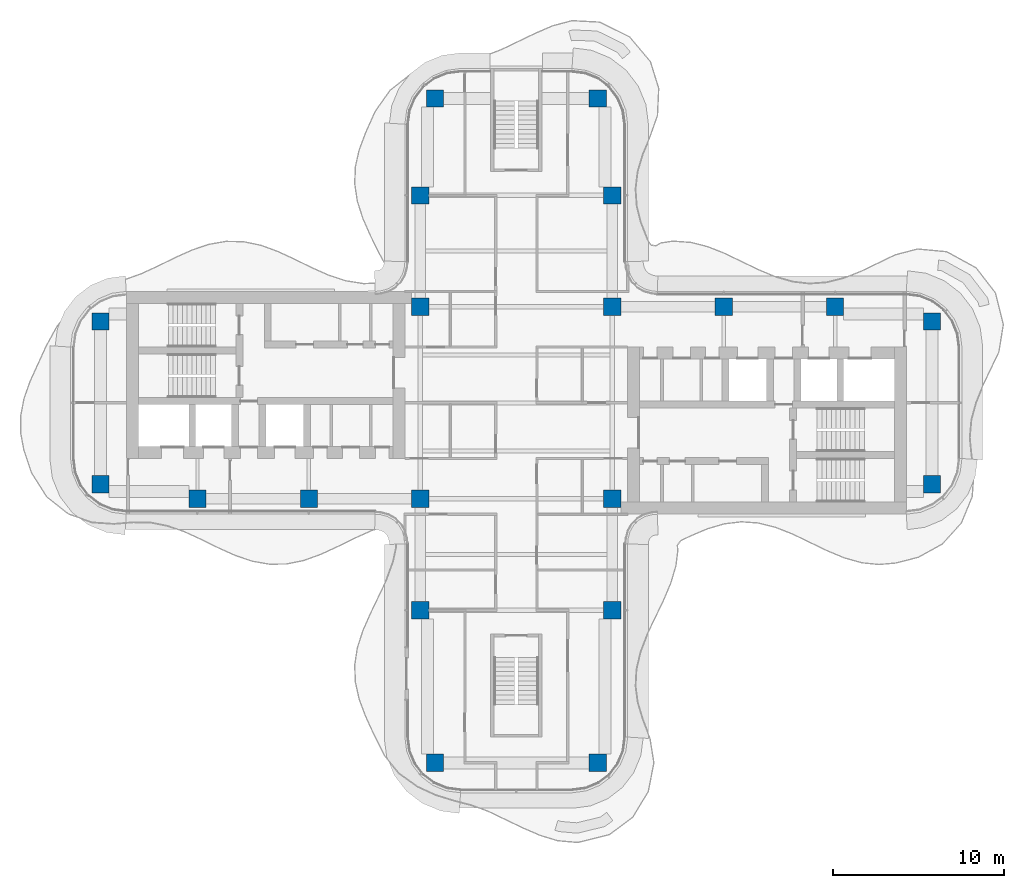
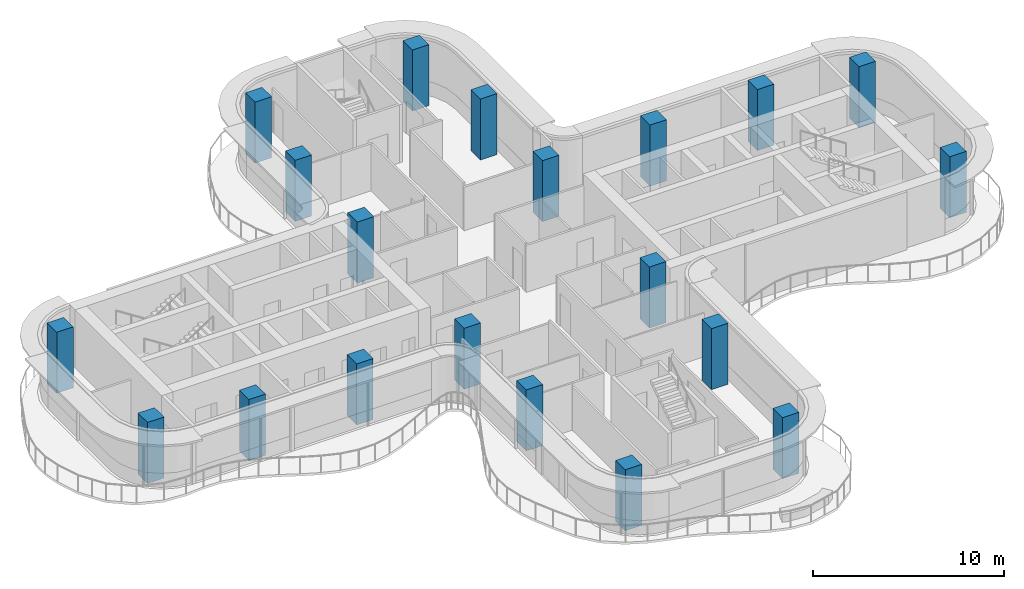
# One storey, part 1 of 16: 20 columns.
"""IFC4 building model written with IfcOpenShell, lengths in metres."""

from ifc_helpers import new_model, si_unit, direction, frame, origin, origin_2d, place, context, subcontext, project, spatial, rectangle, extrude, source, transform, mapped, material, material_profile, profile_set, type_object, element, save


model = new_model("IFC4")

# Units and contexts
model_context = context("Model", 3, precision=1e-05, world=origin(), true_north=direction((0.0, 1.0)))
body_context = subcontext(model_context, "Body", "Model", "MODEL_VIEW")
ifc_project = project(units=[si_unit("LENGTHUNIT", "METRE"), si_unit("AREAUNIT", "SQUARE_METRE"), si_unit("VOLUMEUNIT", "CUBIC_METRE"), si_unit("PLANEANGLEUNIT", "RADIAN"), si_unit("MASSUNIT", "GRAM", prefix="KILO")], contexts=[model_context])

# Site, building, storey
site_placement = place(None, origin())
site = spatial("IfcSite", under=ifc_project, at=site_placement, CompositionType="ELEMENT")
building_placement = place(site_placement, origin())
building = spatial("IfcBuilding", under=site, at=building_placement, Name="Trellis Farm Tower", CompositionType="ELEMENT")
storey_placement = place(building_placement, frame((0.0, 0.0, 306.699951171875)))
storey = spatial("IfcBuildingStorey", under=building, at=storey_placement, Name="L69", CompositionType="ELEMENT", Elevation=306.699951171875)

# Columns
ifc_material = material(Name="Concrete C60/75", Category="concrete")
ifc_material_profile = material_profile(ifc_material, rectangle(XDim=1.0, YDim=1.0, at=origin_2d()), Name="RC column 1000x1000 C60/75")
ifc_profile_set = profile_set([ifc_material_profile], Name="Concrete C60/75")
column_type = type_object("IfcColumnType", Name="RC column 1000x1000 C60/75", PredefinedType="COLUMN", material=ifc_profile_set)
shared_shape = source(origin(), body_context, "Body", "SweptSolid", [
    extrude(rectangle(XDim=1.0, YDim=1.0, at=origin_2d()), origin(), (0.0, 0.0, 1.0), 3.900146484375),
])
for number, where, z_axis, x_axis, name in (
    (1, (12.10009765625, 5.60009765625, 0.0), (0.0, 0.0, 1.0), (1.0, 0.0, 0.0), "Column"),
    (2, (18.60009765625, 5.60009765625, 0.0), (0.0, 0.0, 1.0), (1.0, 0.0, 0.0), "Column"),
    (3, (24.25, 4.75, 0.0), (0.0, 0.0, 1.0), (1.0, 0.0, 0.0), "Column"),
    (4, (24.25, -4.75, 0.0), (0.0, 0.0, 1.0), (1.0, 0.0, 0.0), "Column"),
    (5, (-5.60009765625, 12.10009765625, 0.0), (0.0, 0.0, 1.0), (1.0, 0.0, 0.0), "Column"),
    (6, (-4.75, 17.75, 0.0), (0.0, 0.0, 1.0), (1.0, 0.0, 0.0), "Column"),
    (7, (5.60009765625, 12.10009765625, 0.0), (0.0, 0.0, 1.0), (1.0, 0.0, 0.0), "Column"),
    (8, (4.75, 17.75, 0.0), (0.0, 0.0, 1.0), (1.0, 0.0, 0.0), "Column"),
    (9, (5.60009765625, 5.60009765625, 0.0), (0.0, 0.0, 1.0), (1.0, 0.0, 0.0), "Column"),
    (10, (-5.60009765625, 5.60009765625, 0.0), (0.0, 0.0, 1.0), (1.0, 0.0, 0.0), "Column"),
    (11, (5.60009765625, -5.60009765625, 0.0), (0.0, 0.0, 1.0), (1.0, 0.0, 0.0), "Column"),
    (12, (-5.60009765625, -5.60009765625, 0.0), (0.0, 0.0, 1.0), (1.0, 0.0, 0.0), "Column"),
    (13, (5.60009765625, -12.10009765625, 0.0), (0.0, 0.0, 1.0), (1.0, 0.0, 0.0), "Column"),
    (14, (4.75, -21.0, 0.0), (0.0, 0.0, 1.0), (1.0, 0.0, 0.0), "Column"),
    (15, (-5.60009765625, -12.10009765625, 0.0), (0.0, 0.0, 1.0), (1.0, 0.0, 0.0), "Column"),
    (16, (-4.75, -21.0, 0.0), (0.0, 0.0, 1.0), (1.0, 0.0, 0.0), "Column"),
    (17, (-12.10009765625, -5.60009765625, 0.0), (0.0, 0.0, 1.0), (1.0, 0.0, 0.0), "Column"),
    (18, (-18.60009765625, -5.60009765625, 0.0), (0.0, 0.0, 1.0), (1.0, 0.0, 0.0), "Column"),
    (19, (-24.25, -4.75, 0.0), (0.0, 0.0, 1.0), (1.0, 0.0, 0.0), "Column"),
    (20, (-24.25, 4.75, 0.0), (0.0, 0.0, 1.0), (1.0, 0.0, 0.0), "Column"),
):
    element("IfcColumn", number, at=place(storey_placement, frame(where, z_axis=z_axis, x_axis=x_axis)), inside=storey, type_object=column_type, Name=name, PredefinedType="COLUMN", context=body_context, shape_type="MappedRepresentation", body=[
        mapped(shared_shape, transform((0.0, 0.0, 0.0))),
    ])

save(model, "model.ifc")
